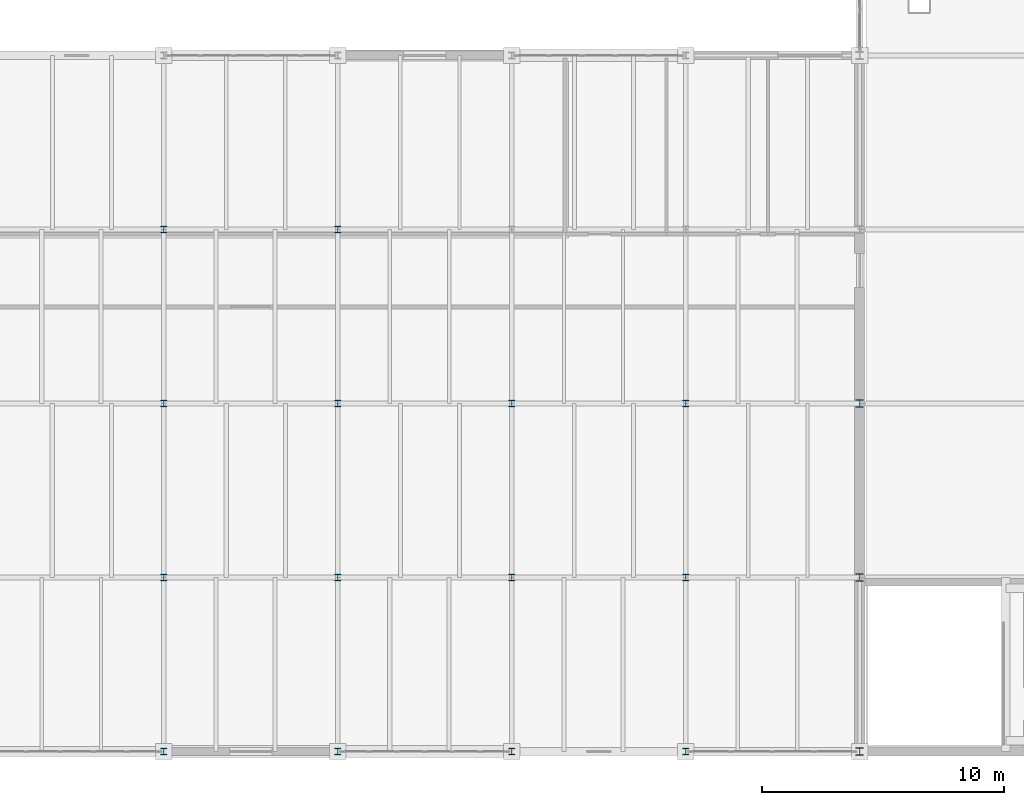
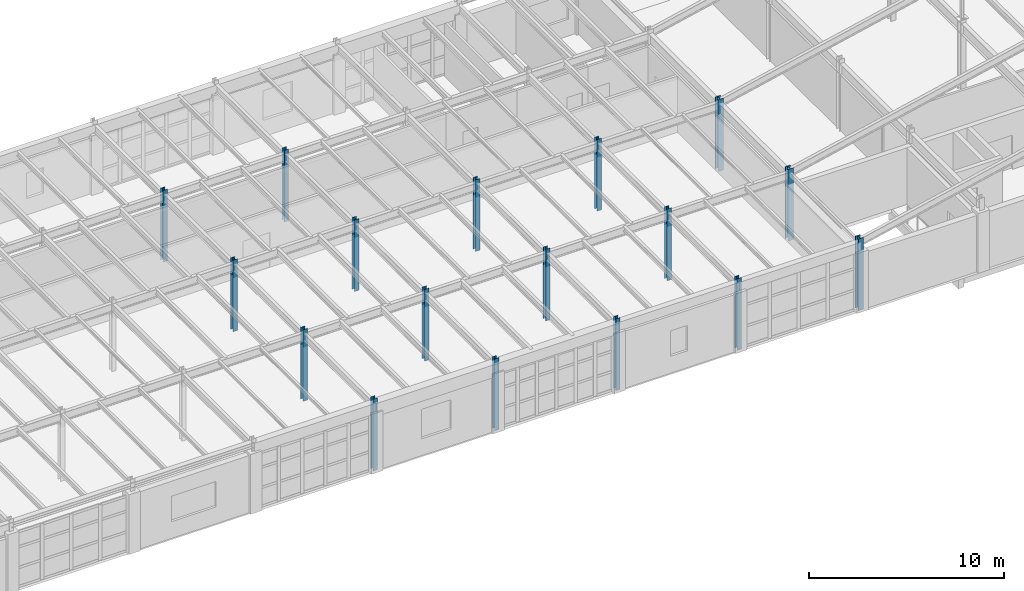
# One storey, part 12 of 137: 17 columns.
"""IFC4 building model written with IfcOpenShell, lengths in metres."""

import ifcopenshell
import ifcopenshell.guid

model = None  # the IFC model being written
_history = None  # IfcOwnerHistory: only IFC2X3 demands one
_inside = {}  # id of a spatial element -> (the spatial element, [elements in it])
_under = {}  # id of a project, library or spatial element -> (it, [spatial elements below it])
_declared = {}  # id of a project -> (the project, [libraries it declares])
_typed = {}  # id of a type object -> (the type object, [elements of that type])
_made_of = {}  # id of a material, layer set ... -> (it, [elements and type objects made of it])


def new_model(schema):
    """Start an empty IFC model of exactly this schema.

    Asked for "IFC4X3", IfcOpenShell would pick the latest addendum, in which some entities
    have other attributes; the version numbers below select the first issue.
    IFC2X3 requires an IfcOwnerHistory on every rooted entity: one is made here for all.
    """
    global model, _history
    if schema == "IFC4X3":
        model = ifcopenshell.file(schema_version=(4, 3, 0, 0))
    else:
        model = ifcopenshell.file(schema=schema)
    _inside.clear()
    _under.clear()
    _declared.clear()
    _typed.clear()
    _made_of.clear()
    _history = None
    if model.schema == "IFC2X3":
        org = make("IfcOrganization", Name="unknown")
        user = make(
            "IfcPersonAndOrganization",
            ThePerson=make("IfcPerson", FamilyName="unknown"),
            TheOrganization=org,
        )
        app = make(
            "IfcApplication",
            ApplicationDeveloper=org,
            Version="unknown",
            ApplicationFullName="unknown",
            ApplicationIdentifier="unknown",
        )
        _history = make(
            "IfcOwnerHistory",
            OwningUser=user,
            OwningApplication=app,
            ChangeAction="ADDED",
            CreationDate=0,
        )
    return model


def make(cls, **values):
    """One entity of the class cls with the attributes given. An attribute that is None is left unset."""
    return model.create_entity(
        cls, **{name: value for name, value in values.items() if value is not None}
    )


def rooted(cls, **values):
    """An entity with a GlobalId (a new one), such as an element, a storey or a relation."""
    return make(cls, GlobalId=ifcopenshell.guid.new(), OwnerHistory=_history, **values)


def si_unit(unit_type, name, prefix=None):
    """IfcSIUnit, for example si_unit("LENGTHUNIT", "METRE", prefix="MILLI")."""
    return make("IfcSIUnit", UnitType=unit_type, Prefix=prefix, Name=name)


def assignment(units):
    """IfcUnitAssignment: the units of a project."""
    return None if units is None else make("IfcUnitAssignment", Units=units)


def point(xyz):
    """IfcCartesianPoint."""
    return None if xyz is None else make("IfcCartesianPoint", Coordinates=xyz)


def direction(xyz):
    """IfcDirection."""
    return None if xyz is None else make("IfcDirection", DirectionRatios=xyz)


def frame(location, z_axis=None, x_axis=None):
    """IfcAxis2Placement3D, a coordinate frame: its origin and axes. An axis left out is left unset."""
    return make(
        "IfcAxis2Placement3D",
        Location=point(location),
        Axis=direction(z_axis),
        RefDirection=direction(x_axis),
    )


def frame_2d(location, x_axis=None):
    """IfcAxis2Placement2D, a coordinate frame in the plane: its origin and x axis."""
    return make(
        "IfcAxis2Placement2D", Location=point(location), RefDirection=direction(x_axis)
    )


def origin():
    """The frame at (0, 0, 0) with its axes left unset."""
    return frame((0.0, 0.0, 0.0))


def origin_2d():
    """The frame at (0, 0) in the plane with its x axis left unset."""
    return frame_2d((0.0, 0.0))


def place(relative_to, where):
    """IfcLocalPlacement: puts the frame where relative to a parent placement (None: the world)."""
    return make(
        "IfcLocalPlacement", PlacementRelTo=relative_to, RelativePlacement=where
    )


def context(
    kind, dimensions, precision=None, world=None, true_north=None, identifier=None
):
    """IfcGeometricRepresentationContext, for example the 3D "Model" context."""
    return make(
        "IfcGeometricRepresentationContext",
        ContextIdentifier=identifier,
        ContextType=kind,
        CoordinateSpaceDimension=dimensions,
        Precision=precision,
        WorldCoordinateSystem=world,
        TrueNorth=true_north,
    )


def subcontext(parent, identifier, kind, view, scale=None):
    """IfcGeometricRepresentationSubContext, for example "Body" below "Model"."""
    return make(
        "IfcGeometricRepresentationSubContext",
        ContextIdentifier=identifier,
        ContextType=kind,
        ParentContext=parent,
        TargetScale=scale,
        TargetView=view,
    )


def project(units=None, contexts=None):
    """IfcProject with its units and contexts."""
    return rooted(
        "IfcProject",
        Name="project",
        RepresentationContexts=contexts,
        UnitsInContext=assignment(units),
    )


def spatial(cls, under=None, at=None, **own):
    """A site, building, storey or space (cls), placed at a placement, below another one or the project."""
    s = rooted(cls, ObjectPlacement=at, **own)
    if under is not None:
        _under.setdefault(under.id(), (under, []))[1].append(s)
    return s


def profile(cls, at=None, kind="AREA", **sizes):
    """A parametric profile (cls). Its sizes go by their IFC names, for example OverallWidth=200.0."""
    return make(cls, ProfileType=kind, Position=at, **sizes)


def i_section(**sizes):
    """IfcIShapeProfileDef."""
    return profile("IfcIShapeProfileDef", **sizes)


def extrude(swept, where, along, depth):
    """IfcExtrudedAreaSolid: the profile swept, set in the frame where, extruded along a direction by depth."""
    return make(
        "IfcExtrudedAreaSolid",
        SweptArea=swept,
        Position=where,
        ExtrudedDirection=direction(along),
        Depth=depth,
    )


def shape(context_of_items, identifier, shape_type, items):
    """IfcShapeRepresentation: the items that make up one representation, for example the "Body"."""
    return make(
        "IfcShapeRepresentation",
        ContextOfItems=context_of_items,
        RepresentationIdentifier=identifier,
        RepresentationType=shape_type,
        Items=items,
    )


def material(Name=None, Category=None):
    """IfcMaterial."""
    return make("IfcMaterial", Name=Name, Category=Category)


def material_profile(
    of_material, cross_section, Name=None, Category=None, Priority=None
):
    """IfcMaterialProfile: a cross section and its material."""
    return make(
        "IfcMaterialProfile",
        Name=Name,
        Material=of_material,
        Profile=cross_section,
        Priority=Priority,
        Category=Category,
    )


def profile_set(profiles, Name=None, composite=None):
    """IfcMaterialProfileSet."""
    return make(
        "IfcMaterialProfileSet",
        Name=Name,
        MaterialProfiles=profiles,
        CompositeProfile=composite,
    )


def made_of(thing, what):
    """Note that an element or type object is made of a material, layer set ...; save() writes the relation."""
    if what is not None:
        _made_of.setdefault(what.id(), (what, []))[1].append(thing)
    return thing


def type_object(cls, material=None, **own):
    """A type object (cls), such as IfcWallType, which elements share."""
    return made_of(rooted(cls, **own), material)


def element(
    cls,
    number,
    at=None,
    inside=None,
    cuts=None,
    type_object=None,
    material=None,
    context=None,
    identifier="Body",
    shape_type=None,
    held_by="IfcProductDefinitionShape",
    body=None,
    shapes=None,
    **own,
):
    """One element of the class cls, such as IfcWall. Its Tag is "e" and its number.

    at: its placement. inside: the storey or other place that contains it. cuts: it is an
    opening in that element (IfcRelVoidsElement). A single representation is given by context,
    identifier, shape_type and body (its items); several are given by shapes. held_by: the class
    of the entity that holds the representations. save() writes the other relations.
    """
    e = rooted(cls, Tag="e%d" % number, ObjectPlacement=at, **own)
    if body is not None:
        shapes = [shape(context, identifier, shape_type, body)]
    if shapes is not None:
        e.Representation = make(held_by, Representations=shapes)
    if inside is not None:
        _inside.setdefault(inside.id(), (inside, []))[1].append(e)
    if cuts is not None:
        rooted(
            "IfcRelVoidsElement", RelatingBuildingElement=cuts, RelatedOpeningElement=e
        )
    if type_object is not None:
        _typed.setdefault(type_object.id(), (type_object, []))[1].append(e)
    return made_of(e, material)


def aggregate(whole, parts):
    """IfcRelAggregates: a whole, such as a stair, and the parts it consists of."""
    return rooted("IfcRelAggregates", RelatingObject=whole, RelatedObjects=parts)


def save(model, path):
    """Write the relations noted so far, then the file.

    IfcRelAggregates (storeys below a building ...), IfcRelContainedInSpatialStructure (elements
    in a storey), IfcRelDefinesByType, IfcRelAssociatesMaterial and IfcRelDeclares: one each for
    every whole, place, type object, material and project.
    """
    for whole, parts in _under.values():
        aggregate(whole, parts)
    for where, things in _inside.values():
        rooted(
            "IfcRelContainedInSpatialStructure",
            RelatedElements=things,
            RelatingStructure=where,
        )
    for kind, things in _typed.values():
        rooted("IfcRelDefinesByType", RelatedObjects=things, RelatingType=kind)
    for what, things in _made_of.values():
        rooted("IfcRelAssociatesMaterial", RelatedObjects=things, RelatingMaterial=what)
    for by, libraries in _declared.values():
        rooted("IfcRelDeclares", RelatingContext=by, RelatedDefinitions=libraries)
    model.write(path)


model = new_model("IFC4")

# Units and contexts
model_context = context("Model", 3, precision=1e-05, world=origin(), true_north=direction((0.0, 1.0)))
body_context = subcontext(model_context, "Body", "Model", "MODEL_VIEW")
ifc_project = project(units=[si_unit("LENGTHUNIT", "METRE"), si_unit("AREAUNIT", "SQUARE_METRE"), si_unit("VOLUMEUNIT", "CUBIC_METRE"), si_unit("PLANEANGLEUNIT", "RADIAN"), si_unit("MASSUNIT", "GRAM", prefix="KILO")], contexts=[model_context])

# Site, building, storey
site_placement = place(None, origin())
site = spatial("IfcSite", under=ifc_project, at=site_placement, CompositionType="ELEMENT")
building_placement = place(site_placement, origin())
building = spatial("IfcBuilding", under=site, at=building_placement, Name="Kemerveld Promenade Tramway Depot", CompositionType="ELEMENT")
storey_placement = place(building_placement, frame((0.0, 0.0, 5.39990234375)))
storey = spatial("IfcBuildingStorey", under=building, at=storey_placement, Name="L01", CompositionType="ELEMENT", Elevation=5.39990234375)

# Columns
ifc_material = material(Name="Steel S355", Category="steel")
ifc_material_profile_1 = material_profile(ifc_material, i_section(OverallWidth=0.307373046875, OverallDepth=0.314453125, WebThickness=0.011962890625, FlangeThickness=0.018798828125, FilletRadius=0.01513671875, at=origin_2d()), Name="305x305x118 UC")
ifc_profile_set_1 = profile_set([ifc_material_profile_1], Name="Steel S355")
column_type_1 = type_object("IfcColumnType", Name="COL-S06", PredefinedType="COLUMN", material=ifc_profile_set_1)
for number, where, z_axis, x_axis, name in (
    (1, (158.39990234375, 0.0, 0.0), (0.0, 0.0, 1.0), (1.0, 0.0, 0.0), "COL-L01-23-A"),
    (2, (158.39990234375, 7.199951171875, 0.0), (0.0, 0.0, 1.0), (1.0, 0.0, 0.0), "COL-L01-23-B"),
    (3, (158.39990234375, 14.39990234375, 0.0), (0.0, 0.0, 1.0), (1.0, 0.0, 0.0), "COL-L01-23-C"),
):
    element("IfcColumn", number, at=place(storey_placement, frame(where, z_axis=z_axis, x_axis=x_axis)), inside=storey, type_object=column_type_1, Name=name, PredefinedType="COLUMN", context=body_context, shape_type="SweptSolid", body=[
        extrude(i_section(OverallWidth=0.307373046875, OverallDepth=0.314453125, WebThickness=0.011962890625, FlangeThickness=0.018798828125, FilletRadius=0.01513671875, at=origin_2d()), origin(), (0.0, 0.0, 1.0), 4.5),
    ])
ifc_material_profile_2 = material_profile(ifc_material, i_section(OverallWidth=0.25634765625, OverallDepth=0.26025390625, WebThickness=0.01025390625, FlangeThickness=0.017333984375, FilletRadius=0.0126953125, at=origin_2d()), Name="254x254x89 UC")
ifc_profile_set_2 = profile_set([ifc_material_profile_2], Name="Steel S355")
column_type_2 = type_object("IfcColumnType", Name="COL-S08", PredefinedType="COLUMN", material=ifc_profile_set_2)
for number, where, z_axis, x_axis, name in (
    (4, (129.60009765625, 0.0, 0.0), (0.0, 0.0, 1.0), (1.0, 0.0, 0.0), "COL-L01-19-A"),
    (5, (129.60009765625, 7.199951171875, 0.0), (0.0, 0.0, 1.0), (1.0, 0.0, 0.0), "COL-L01-19-B"),
    (6, (129.60009765625, 14.39990234375, 0.0), (0.0, 0.0, 1.0), (1.0, 0.0, 0.0), "COL-L01-19-C"),
    (7, (129.60009765625, 21.60009765625, 0.0), (0.0, 0.0, 1.0), (1.0, 0.0, 0.0), "COL-L01-19-D"),
    (8, (136.800048828125, 0.0, 0.0), (0.0, 0.0, 1.0), (1.0, 0.0, 0.0), "COL-L01-20-A"),
    (9, (136.800048828125, 7.199951171875, 0.0), (0.0, 0.0, 1.0), (1.0, 0.0, 0.0), "COL-L01-20-B"),
    (10, (136.800048828125, 14.39990234375, 0.0), (0.0, 0.0, 1.0), (1.0, 0.0, 0.0), "COL-L01-20-C"),
    (11, (136.800048828125, 21.60009765625, 0.0), (0.0, 0.0, 1.0), (1.0, 0.0, 0.0), "COL-L01-20-D"),
    (12, (144.0, 0.0, 0.0), (0.0, 0.0, 1.0), (1.0, 0.0, 0.0), "COL-L01-21-A"),
    (13, (144.0, 7.199951171875, 0.0), (0.0, 0.0, 1.0), (1.0, 0.0, 0.0), "COL-L01-21-B"),
    (14, (144.0, 14.39990234375, 0.0), (0.0, 0.0, 1.0), (1.0, 0.0, 0.0), "COL-L01-21-C"),
    (15, (151.199951171875, 0.0, 0.0), (0.0, 0.0, 1.0), (1.0, 0.0, 0.0), "COL-L01-22-A"),
    (16, (151.199951171875, 7.199951171875, 0.0), (0.0, 0.0, 1.0), (1.0, 0.0, 0.0), "COL-L01-22-B"),
    (17, (151.199951171875, 14.39990234375, 0.0), (0.0, 0.0, 1.0), (1.0, 0.0, 0.0), "COL-L01-22-C"),
):
    element("IfcColumn", number, at=place(storey_placement, frame(where, z_axis=z_axis, x_axis=x_axis)), inside=storey, type_object=column_type_2, Name=name, PredefinedType="COLUMN", context=body_context, shape_type="SweptSolid", body=[
        extrude(i_section(OverallWidth=0.25634765625, OverallDepth=0.26025390625, WebThickness=0.01025390625, FlangeThickness=0.017333984375, FilletRadius=0.0126953125, at=origin_2d()), origin(), (0.0, 0.0, 1.0), 4.5),
    ])

save(model, "model.ifc")
